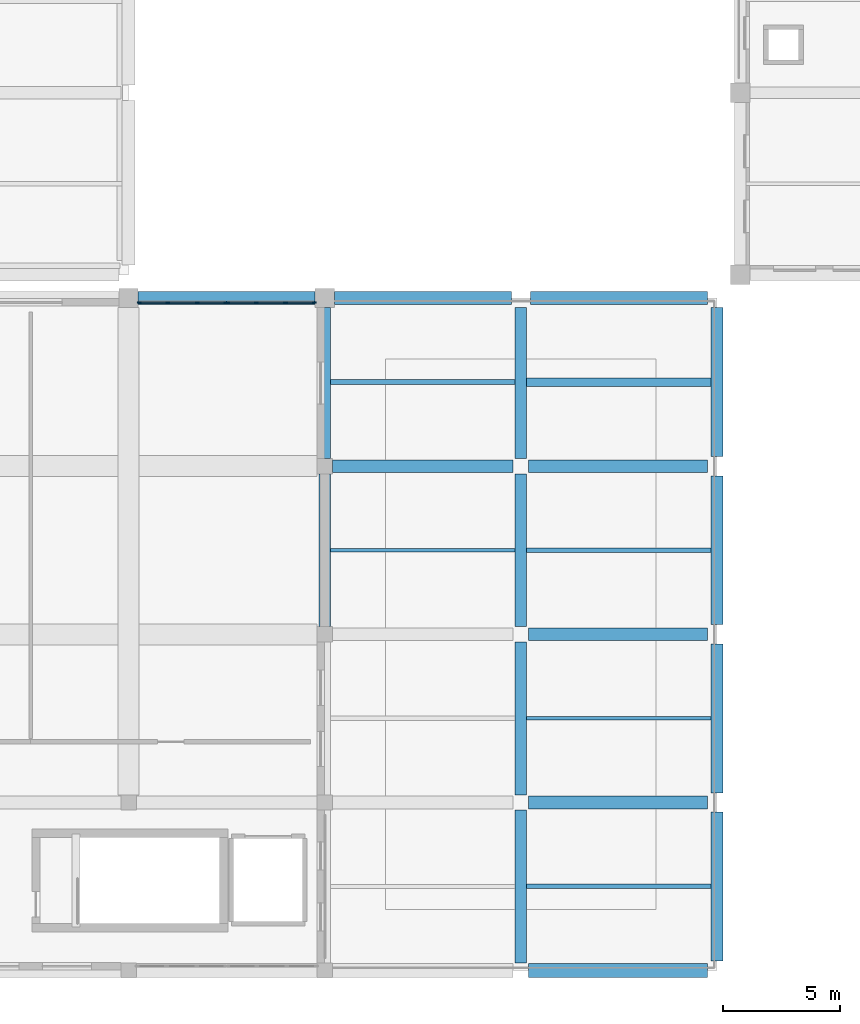
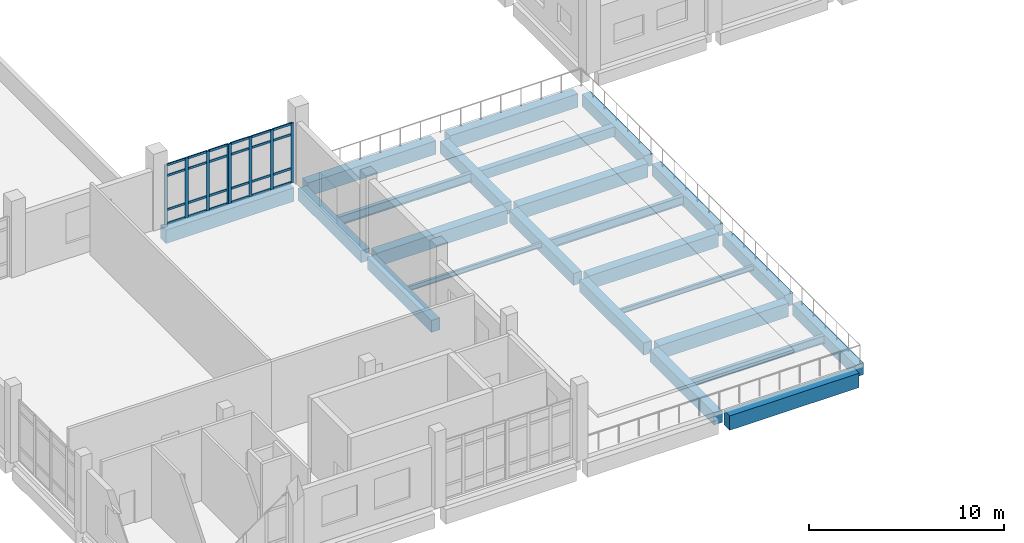
# One storey, part 5 of 73: 32 members, 24 beams, 2 elements without a shape of their own.
"""IFC4 building model written with IfcOpenShell, lengths in metres."""

from ifc_helpers import new_model, si_unit, direction, frame, origin, origin_2d, place, context, subcontext, project, spatial, rectangle, i_section, extrude, material, layer, layer_set, material_profile, profile_set, type_object, element, aggregate, save


model = new_model("IFC4")

# Units and contexts
model_context = context("Model", 3, precision=1e-05, world=origin(), true_north=direction((0.0, 1.0)))
body_context = subcontext(model_context, "Body", "Model", "MODEL_VIEW")
ifc_project = project(units=[si_unit("LENGTHUNIT", "METRE"), si_unit("AREAUNIT", "SQUARE_METRE"), si_unit("VOLUMEUNIT", "CUBIC_METRE"), si_unit("PLANEANGLEUNIT", "RADIAN"), si_unit("MASSUNIT", "GRAM", prefix="KILO")], contexts=[model_context])

# Site, building, storey
site_placement = place(None, origin())
site = spatial("IfcSite", under=ifc_project, at=site_placement, CompositionType="ELEMENT")
building_placement = place(site_placement, origin())
building = spatial("IfcBuilding", under=site, at=building_placement, Name="Kelarvand Opera House", CompositionType="ELEMENT")
storey_placement = place(building_placement, frame((0.0, 0.0, 10.199951171875)))
storey = spatial("IfcBuildingStorey", under=building, at=storey_placement, Name="L02", CompositionType="ELEMENT", Elevation=10.199951171875)

# Curtain wall, members
ifc_material_1 = material(Name="Thermally broken aluminium and low-E glazing", Category="aluminium")
ifc_layer = layer(ifc_material_1, 0.179931640625, Name="Thermally broken aluminium and low-E glazing", Category="aluminium")
ifc_layer_set = layer_set([ifc_layer], Name="Thermally broken aluminium and low-E glazing")
curtain_wall_type = type_object("IfcCurtainWallType", Name="Unitised Low-E Curtain Wall 3776x3730 Mod 1350 CWF-33", PredefinedType="USERDEFINED", material=ifc_layer_set)
curtain_wall_1_placement = place(storey_placement, origin())
curtain_wall_1 = element("IfcCurtainWall", 1, at=curtain_wall_1_placement, inside=storey, type_object=curtain_wall_type, Name="V4 L02 Curtain Wall CWF-33 (153)", ObjectType="UNITISED CURTAIN WALL", PredefinedType="USERDEFINED")
ifc_material_2 = material(Name="Thermally broken anodised aluminium", Category="aluminium")
ifc_material_profile_1 = material_profile(ifc_material_2, rectangle(XDim=0.06494140625, YDim=0.179931640625, at=origin_2d()), Name="ALU MULLION 65x180", Category="aluminium")
ifc_profile_set_1 = profile_set([ifc_material_profile_1], Name="Thermally broken anodised aluminium")
member_type_1 = type_object("IfcMemberType", Name="Curtain Wall Mullion 65x180 Aluminium", PredefinedType="MULLION", material=ifc_profile_set_1)
member_1_placement = place(storey_placement, frame((26.25244140625, 37.6201171875, 0.0), z_axis=(0.0, 0.0, 1.0), x_axis=(0.0, 1.0, 0.0)))
member_1 = element("IfcMember", 2, at=member_1_placement, type_object=member_type_1, Name="CWF-33 mullion 1", PredefinedType="MULLION", context=body_context, shape_type="SweptSolid", body=[
    extrude(rectangle(XDim=0.06494140625, YDim=0.179931640625, at=origin_2d()), origin(), (0.0, 0.0, 1.0), 3.72998046875),
])
member_2_placement = place(storey_placement, frame((27.478759765625, 37.6201171875, 0.0), z_axis=(0.0, 0.0, 1.0), x_axis=(0.0, 1.0, 0.0)))
member_2 = element("IfcMember", 3, at=member_2_placement, type_object=member_type_1, Name="CWF-33 mullion 2", PredefinedType="MULLION", context=body_context, shape_type="SweptSolid", body=[
    extrude(rectangle(XDim=0.06494140625, YDim=0.179931640625, at=origin_2d()), origin(), (0.0, 0.0, 1.0), 3.72998046875),
])
member_3_placement = place(storey_placement, frame((28.7373046875, 37.6201171875, 0.0), z_axis=(0.0, 0.0, 1.0), x_axis=(0.0, 1.0, 0.0)))
member_3 = element("IfcMember", 4, at=member_3_placement, type_object=member_type_1, Name="CWF-33 mullion 3", PredefinedType="MULLION", context=body_context, shape_type="SweptSolid", body=[
    extrude(rectangle(XDim=0.06494140625, YDim=0.179931640625, at=origin_2d()), origin(), (0.0, 0.0, 1.0), 3.72998046875),
])
member_4_placement = place(storey_placement, frame((29.96337890625, 37.6201171875, 0.0), z_axis=(0.0, 0.0, 1.0), x_axis=(0.0, 1.0, 0.0)))
member_4 = element("IfcMember", 5, at=member_4_placement, type_object=member_type_1, Name="CWF-33 mullion 4", PredefinedType="MULLION", context=body_context, shape_type="SweptSolid", body=[
    extrude(rectangle(XDim=0.06494140625, YDim=0.179931640625, at=origin_2d()), origin(), (0.0, 0.0, 1.0), 3.72998046875),
])

curtain_wall_2_placement = place(storey_placement, origin())
curtain_wall_2 = element("IfcCurtainWall", 6, at=curtain_wall_2_placement, inside=storey, type_object=curtain_wall_type, Name="V4 L02 Curtain Wall CWF-33 (154)", ObjectType="UNITISED CURTAIN WALL", PredefinedType="USERDEFINED")
member_5_placement = place(storey_placement, frame((30.032470703125, 37.6201171875, 0.0), z_axis=(0.0, 0.0, 1.0), x_axis=(0.0, 1.0, 0.0)))
member_5 = element("IfcMember", 7, at=member_5_placement, type_object=member_type_1, Name="CWF-33 mullion 1", PredefinedType="MULLION", context=body_context, shape_type="SweptSolid", body=[
    extrude(rectangle(XDim=0.06494140625, YDim=0.179931640625, at=origin_2d()), origin(), (0.0, 0.0, 1.0), 3.72998046875),
])
member_6_placement = place(storey_placement, frame((31.260009765625, 37.6201171875, 0.0), z_axis=(0.0, 0.0, 1.0), x_axis=(0.0, 1.0, 0.0)))
member_6 = element("IfcMember", 8, at=member_6_placement, type_object=member_type_1, Name="CWF-33 mullion 2", PredefinedType="MULLION", context=body_context, shape_type="SweptSolid", body=[
    extrude(rectangle(XDim=0.06494140625, YDim=0.179931640625, at=origin_2d()), origin(), (0.0, 0.0, 1.0), 3.72998046875),
])
member_7_placement = place(storey_placement, frame((32.52001953125, 37.6201171875, 0.0), z_axis=(0.0, 0.0, 1.0), x_axis=(0.0, 1.0, 0.0)))
member_7 = element("IfcMember", 9, at=member_7_placement, type_object=member_type_1, Name="CWF-33 mullion 3", PredefinedType="MULLION", context=body_context, shape_type="SweptSolid", body=[
    extrude(rectangle(XDim=0.06494140625, YDim=0.179931640625, at=origin_2d()), origin(), (0.0, 0.0, 1.0), 3.72998046875),
])
member_8_placement = place(storey_placement, frame((33.74755859375, 37.6201171875, 0.0), z_axis=(0.0, 0.0, 1.0), x_axis=(0.0, 1.0, 0.0)))
member_8 = element("IfcMember", 10, at=member_8_placement, type_object=member_type_1, Name="CWF-33 mullion 4", PredefinedType="MULLION", context=body_context, shape_type="SweptSolid", body=[
    extrude(rectangle(XDim=0.06494140625, YDim=0.179931640625, at=origin_2d()), origin(), (0.0, 0.0, 1.0), 3.72998046875),
])

# Member
ifc_material_profile_2 = material_profile(ifc_material_2, rectangle(XDim=0.06494140625, YDim=0.139892578125, at=origin_2d()), Name="ALU TRANSOM 65x140", Category="aluminium")
ifc_profile_set_2 = profile_set([ifc_material_profile_2], Name="Thermally broken anodised aluminium")
member_type_2 = type_object("IfcMemberType", Name="Curtain Wall Transom 65x140 Aluminium", PredefinedType="USERDEFINED", material=ifc_profile_set_2)
member_9_placement = place(storey_placement, frame((26.284912109375, 37.6201171875, 0.032470703125), z_axis=(1.0, 0.0, 0.0), x_axis=(0.0, 1.0, 0.0)))
member_9 = element("IfcMember", 11, at=member_9_placement, type_object=member_type_2, Name="CWF-33 transom 1.1", ObjectType="TRANSOM", PredefinedType="USERDEFINED", context=body_context, shape_type="SweptSolid", body=[
    extrude(rectangle(XDim=0.06494140625, YDim=0.139892578125, at=origin_2d()), origin(), (0.0, 0.0, 1.0), 1.1611328125),
])

member_10_placement = place(storey_placement, frame((26.284912109375, 37.6201171875, 0.900146484375), z_axis=(1.0, 0.0, 0.0), x_axis=(0.0, 1.0, 0.0)))
member_10 = element("IfcMember", 12, at=member_10_placement, type_object=member_type_2, Name="CWF-33 transom 1.2", ObjectType="TRANSOM", PredefinedType="USERDEFINED", context=body_context, shape_type="SweptSolid", body=[
    extrude(rectangle(XDim=0.06494140625, YDim=0.139892578125, at=origin_2d()), origin(), (0.0, 0.0, 1.0), 1.1611328125),
])

member_11_placement = place(storey_placement, frame((26.284912109375, 37.6201171875, 3.030029296875), z_axis=(1.0, 0.0, 0.0), x_axis=(0.0, 1.0, 0.0)))
member_11 = element("IfcMember", 13, at=member_11_placement, type_object=member_type_2, Name="CWF-33 transom 1.3", ObjectType="TRANSOM", PredefinedType="USERDEFINED", context=body_context, shape_type="SweptSolid", body=[
    extrude(rectangle(XDim=0.06494140625, YDim=0.139892578125, at=origin_2d()), origin(), (0.0, 0.0, 1.0), 1.1611328125),
])

member_12_placement = place(storey_placement, frame((26.284912109375, 37.6201171875, 3.697509765625), z_axis=(1.0, 0.0, 0.0), x_axis=(0.0, 1.0, 0.0)))
member_12 = element("IfcMember", 14, at=member_12_placement, type_object=member_type_2, Name="CWF-33 transom 1.4", ObjectType="TRANSOM", PredefinedType="USERDEFINED", context=body_context, shape_type="SweptSolid", body=[
    extrude(rectangle(XDim=0.06494140625, YDim=0.139892578125, at=origin_2d()), origin(), (0.0, 0.0, 1.0), 1.1611328125),
])

member_13_placement = place(storey_placement, frame((27.51123046875, 37.6201171875, 0.032470703125), z_axis=(1.0, 0.0, 0.0), x_axis=(0.0, 1.0, 0.0)))
member_13 = element("IfcMember", 15, at=member_13_placement, type_object=member_type_2, Name="CWF-33 transom 2.1", ObjectType="TRANSOM", PredefinedType="USERDEFINED", context=body_context, shape_type="SweptSolid", body=[
    extrude(rectangle(XDim=0.06494140625, YDim=0.139892578125, at=origin_2d()), origin(), (0.0, 0.0, 1.0), 1.193603515625),
])

member_14_placement = place(storey_placement, frame((27.51123046875, 37.6201171875, 0.900146484375), z_axis=(1.0, 0.0, 0.0), x_axis=(0.0, 1.0, 0.0)))
member_14 = element("IfcMember", 16, at=member_14_placement, type_object=member_type_2, Name="CWF-33 transom 2.2", ObjectType="TRANSOM", PredefinedType="USERDEFINED", context=body_context, shape_type="SweptSolid", body=[
    extrude(rectangle(XDim=0.06494140625, YDim=0.139892578125, at=origin_2d()), origin(), (0.0, 0.0, 1.0), 1.193603515625),
])

member_15_placement = place(storey_placement, frame((27.51123046875, 37.6201171875, 3.030029296875), z_axis=(1.0, 0.0, 0.0), x_axis=(0.0, 1.0, 0.0)))
member_15 = element("IfcMember", 17, at=member_15_placement, type_object=member_type_2, Name="CWF-33 transom 2.3", ObjectType="TRANSOM", PredefinedType="USERDEFINED", context=body_context, shape_type="SweptSolid", body=[
    extrude(rectangle(XDim=0.06494140625, YDim=0.139892578125, at=origin_2d()), origin(), (0.0, 0.0, 1.0), 1.193603515625),
])

member_16_placement = place(storey_placement, frame((27.51123046875, 37.6201171875, 3.697509765625), z_axis=(1.0, 0.0, 0.0), x_axis=(0.0, 1.0, 0.0)))
member_16 = element("IfcMember", 18, at=member_16_placement, type_object=member_type_2, Name="CWF-33 transom 2.4", ObjectType="TRANSOM", PredefinedType="USERDEFINED", context=body_context, shape_type="SweptSolid", body=[
    extrude(rectangle(XDim=0.06494140625, YDim=0.139892578125, at=origin_2d()), origin(), (0.0, 0.0, 1.0), 1.193603515625),
])

member_17_placement = place(storey_placement, frame((28.769775390625, 37.6201171875, 0.032470703125), z_axis=(1.0, 0.0, 0.0), x_axis=(0.0, 1.0, 0.0)))
member_17 = element("IfcMember", 19, at=member_17_placement, type_object=member_type_2, Name="CWF-33 transom 3.1", ObjectType="TRANSOM", PredefinedType="USERDEFINED", context=body_context, shape_type="SweptSolid", body=[
    extrude(rectangle(XDim=0.06494140625, YDim=0.139892578125, at=origin_2d()), origin(), (0.0, 0.0, 1.0), 1.1611328125),
])

member_18_placement = place(storey_placement, frame((28.769775390625, 37.6201171875, 0.900146484375), z_axis=(1.0, 0.0, 0.0), x_axis=(0.0, 1.0, 0.0)))
member_18 = element("IfcMember", 20, at=member_18_placement, type_object=member_type_2, Name="CWF-33 transom 3.2", ObjectType="TRANSOM", PredefinedType="USERDEFINED", context=body_context, shape_type="SweptSolid", body=[
    extrude(rectangle(XDim=0.06494140625, YDim=0.139892578125, at=origin_2d()), origin(), (0.0, 0.0, 1.0), 1.1611328125),
])

member_19_placement = place(storey_placement, frame((28.769775390625, 37.6201171875, 3.030029296875), z_axis=(1.0, 0.0, 0.0), x_axis=(0.0, 1.0, 0.0)))
member_19 = element("IfcMember", 21, at=member_19_placement, type_object=member_type_2, Name="CWF-33 transom 3.3", ObjectType="TRANSOM", PredefinedType="USERDEFINED", context=body_context, shape_type="SweptSolid", body=[
    extrude(rectangle(XDim=0.06494140625, YDim=0.139892578125, at=origin_2d()), origin(), (0.0, 0.0, 1.0), 1.1611328125),
])

member_20_placement = place(storey_placement, frame((28.769775390625, 37.6201171875, 3.697509765625), z_axis=(1.0, 0.0, 0.0), x_axis=(0.0, 1.0, 0.0)))
member_20 = element("IfcMember", 22, at=member_20_placement, type_object=member_type_2, Name="CWF-33 transom 3.4", ObjectType="TRANSOM", PredefinedType="USERDEFINED", context=body_context, shape_type="SweptSolid", body=[
    extrude(rectangle(XDim=0.06494140625, YDim=0.139892578125, at=origin_2d()), origin(), (0.0, 0.0, 1.0), 1.1611328125),
])

aggregate(curtain_wall_1, [member_1, member_2, member_3, member_4, member_9, member_10, member_11, member_12, member_13, member_14, member_15, member_16, member_17, member_18, member_19, member_20])

member_21_placement = place(storey_placement, frame((30.06494140625, 37.6201171875, 0.032470703125), z_axis=(1.0, 0.0, 0.0), x_axis=(0.0, 1.0, 0.0)))
member_21 = element("IfcMember", 23, at=member_21_placement, type_object=member_type_2, Name="CWF-33 transom 1.1", ObjectType="TRANSOM", PredefinedType="USERDEFINED", context=body_context, shape_type="SweptSolid", body=[
    extrude(rectangle(XDim=0.06494140625, YDim=0.139892578125, at=origin_2d()), origin(), (0.0, 0.0, 1.0), 1.16259765625),
])

member_22_placement = place(storey_placement, frame((30.06494140625, 37.6201171875, 0.900146484375), z_axis=(1.0, 0.0, 0.0), x_axis=(0.0, 1.0, 0.0)))
member_22 = element("IfcMember", 24, at=member_22_placement, type_object=member_type_2, Name="CWF-33 transom 1.2", ObjectType="TRANSOM", PredefinedType="USERDEFINED", context=body_context, shape_type="SweptSolid", body=[
    extrude(rectangle(XDim=0.06494140625, YDim=0.139892578125, at=origin_2d()), origin(), (0.0, 0.0, 1.0), 1.16259765625),
])

member_23_placement = place(storey_placement, frame((30.06494140625, 37.6201171875, 3.030029296875), z_axis=(1.0, 0.0, 0.0), x_axis=(0.0, 1.0, 0.0)))
member_23 = element("IfcMember", 25, at=member_23_placement, type_object=member_type_2, Name="CWF-33 transom 1.3", ObjectType="TRANSOM", PredefinedType="USERDEFINED", context=body_context, shape_type="SweptSolid", body=[
    extrude(rectangle(XDim=0.06494140625, YDim=0.139892578125, at=origin_2d()), origin(), (0.0, 0.0, 1.0), 1.16259765625),
])

member_24_placement = place(storey_placement, frame((30.06494140625, 37.6201171875, 3.697509765625), z_axis=(1.0, 0.0, 0.0), x_axis=(0.0, 1.0, 0.0)))
member_24 = element("IfcMember", 26, at=member_24_placement, type_object=member_type_2, Name="CWF-33 transom 1.4", ObjectType="TRANSOM", PredefinedType="USERDEFINED", context=body_context, shape_type="SweptSolid", body=[
    extrude(rectangle(XDim=0.06494140625, YDim=0.139892578125, at=origin_2d()), origin(), (0.0, 0.0, 1.0), 1.16259765625),
])

member_25_placement = place(storey_placement, frame((31.29248046875, 37.6201171875, 0.032470703125), z_axis=(1.0, 0.0, 0.0), x_axis=(0.0, 1.0, 0.0)))
member_25 = element("IfcMember", 27, at=member_25_placement, type_object=member_type_2, Name="CWF-33 transom 2.1", ObjectType="TRANSOM", PredefinedType="USERDEFINED", context=body_context, shape_type="SweptSolid", body=[
    extrude(rectangle(XDim=0.06494140625, YDim=0.139892578125, at=origin_2d()), origin(), (0.0, 0.0, 1.0), 1.195068359375),
])

member_26_placement = place(storey_placement, frame((31.29248046875, 37.6201171875, 0.900146484375), z_axis=(1.0, 0.0, 0.0), x_axis=(0.0, 1.0, 0.0)))
member_26 = element("IfcMember", 28, at=member_26_placement, type_object=member_type_2, Name="CWF-33 transom 2.2", ObjectType="TRANSOM", PredefinedType="USERDEFINED", context=body_context, shape_type="SweptSolid", body=[
    extrude(rectangle(XDim=0.06494140625, YDim=0.139892578125, at=origin_2d()), origin(), (0.0, 0.0, 1.0), 1.195068359375),
])

member_27_placement = place(storey_placement, frame((31.29248046875, 37.6201171875, 3.030029296875), z_axis=(1.0, 0.0, 0.0), x_axis=(0.0, 1.0, 0.0)))
member_27 = element("IfcMember", 29, at=member_27_placement, type_object=member_type_2, Name="CWF-33 transom 2.3", ObjectType="TRANSOM", PredefinedType="USERDEFINED", context=body_context, shape_type="SweptSolid", body=[
    extrude(rectangle(XDim=0.06494140625, YDim=0.139892578125, at=origin_2d()), origin(), (0.0, 0.0, 1.0), 1.195068359375),
])

member_28_placement = place(storey_placement, frame((31.29248046875, 37.6201171875, 3.697509765625), z_axis=(1.0, 0.0, 0.0), x_axis=(0.0, 1.0, 0.0)))
member_28 = element("IfcMember", 30, at=member_28_placement, type_object=member_type_2, Name="CWF-33 transom 2.4", ObjectType="TRANSOM", PredefinedType="USERDEFINED", context=body_context, shape_type="SweptSolid", body=[
    extrude(rectangle(XDim=0.06494140625, YDim=0.139892578125, at=origin_2d()), origin(), (0.0, 0.0, 1.0), 1.195068359375),
])

member_29_placement = place(storey_placement, frame((32.552490234375, 37.6201171875, 0.032470703125), z_axis=(1.0, 0.0, 0.0), x_axis=(0.0, 1.0, 0.0)))
member_29 = element("IfcMember", 31, at=member_29_placement, type_object=member_type_2, Name="CWF-33 transom 3.1", ObjectType="TRANSOM", PredefinedType="USERDEFINED", context=body_context, shape_type="SweptSolid", body=[
    extrude(rectangle(XDim=0.06494140625, YDim=0.139892578125, at=origin_2d()), origin(), (0.0, 0.0, 1.0), 1.16259765625),
])

member_30_placement = place(storey_placement, frame((32.552490234375, 37.6201171875, 0.900146484375), z_axis=(1.0, 0.0, 0.0), x_axis=(0.0, 1.0, 0.0)))
member_30 = element("IfcMember", 32, at=member_30_placement, type_object=member_type_2, Name="CWF-33 transom 3.2", ObjectType="TRANSOM", PredefinedType="USERDEFINED", context=body_context, shape_type="SweptSolid", body=[
    extrude(rectangle(XDim=0.06494140625, YDim=0.139892578125, at=origin_2d()), origin(), (0.0, 0.0, 1.0), 1.16259765625),
])

member_31_placement = place(storey_placement, frame((32.552490234375, 37.6201171875, 3.030029296875), z_axis=(1.0, 0.0, 0.0), x_axis=(0.0, 1.0, 0.0)))
member_31 = element("IfcMember", 33, at=member_31_placement, type_object=member_type_2, Name="CWF-33 transom 3.3", ObjectType="TRANSOM", PredefinedType="USERDEFINED", context=body_context, shape_type="SweptSolid", body=[
    extrude(rectangle(XDim=0.06494140625, YDim=0.139892578125, at=origin_2d()), origin(), (0.0, 0.0, 1.0), 1.16259765625),
])

member_32_placement = place(storey_placement, frame((32.552490234375, 37.6201171875, 3.697509765625), z_axis=(1.0, 0.0, 0.0), x_axis=(0.0, 1.0, 0.0)))
member_32 = element("IfcMember", 34, at=member_32_placement, type_object=member_type_2, Name="CWF-33 transom 3.4", ObjectType="TRANSOM", PredefinedType="USERDEFINED", context=body_context, shape_type="SweptSolid", body=[
    extrude(rectangle(XDim=0.06494140625, YDim=0.139892578125, at=origin_2d()), origin(), (0.0, 0.0, 1.0), 1.16259765625),
])

aggregate(curtain_wall_2, [member_5, member_6, member_7, member_8, member_21, member_22, member_23, member_24, member_25, member_26, member_27, member_28, member_29, member_30, member_31, member_32])

# Beams
ifc_material_3 = material(Name="Concrete C35/45", Category="concrete")
ifc_material_profile_3 = material_profile(ifc_material_3, rectangle(XDim=0.35009765625, YDim=0.60009765625, at=origin_2d()), Name="RC 350x600", Category="concrete")
ifc_profile_set_3 = profile_set([ifc_material_profile_3], Name="Concrete C35/45")
beam_type_1 = type_object("IfcBeamType", Name="Structural Beam RC 350x600 BM-RC350x600", PredefinedType="BEAM", material=ifc_profile_set_3)
beam_1_placement = place(storey_placement, frame((42.85009765625, 34.199951171875, -0.599853515625), z_axis=(1.0, 0.0, 0.0), x_axis=(0.0, 1.0, 0.0)))
element("IfcBeam", 35, at=beam_1_placement, inside=storey, type_object=beam_type_1, Name="V4 L02 Beam BM-RC350x600", PredefinedType="BEAM", context=body_context, shape_type="SweptSolid", body=[
    extrude(rectangle(XDim=0.35009765625, YDim=0.60009765625, at=origin_2d()), origin(), (0.0, 0.0, 1.0), 7.89990234375),
])
ifc_material_4 = material(Name="Concrete C40/50", Category="concrete")
ifc_material_profile_4 = material_profile(ifc_material_4, rectangle(XDim=0.5, YDim=0.75, at=origin_2d()), Name="RC 500x750", Category="concrete")
ifc_profile_set_4 = profile_set([ifc_material_profile_4], Name="Concrete C40/50")
beam_type_2 = type_object("IfcBeamType", Name="Structural Beam RC 500x750 BM-RC500x750", PredefinedType="BEAM", material=ifc_profile_set_4)
beam_2_placement = place(storey_placement, frame((34.199951171875, 23.72509765625, -0.675048828125), z_axis=(0.0, 1.0, 0.0), x_axis=(-1.0, 0.0, 0.0)))
element("IfcBeam", 36, at=beam_2_placement, inside=storey, type_object=beam_type_2, Name="V4 L02 Beam BM-RC500x750", PredefinedType="BEAM", context=body_context, shape_type="SweptSolid", body=[
    extrude(rectangle(XDim=0.5, YDim=0.75, at=origin_2d()), origin(), (0.0, 0.0, 1.0), 6.5498046875),
])
beam_3_placement = place(storey_placement, frame((34.199951171875, 30.925048828125, -0.675048828125), z_axis=(0.0, 1.0, 0.0), x_axis=(-1.0, 0.0, 0.0)))
element("IfcBeam", 37, at=beam_3_placement, inside=storey, type_object=beam_type_2, Name="V4 L02 Beam BM-RC500x750", PredefinedType="BEAM", context=body_context, shape_type="SweptSolid", body=[
    extrude(rectangle(XDim=0.5, YDim=0.75, at=origin_2d()), origin(), (0.0, 0.0, 1.0), 6.46484375),
])
for number, where, z_axis, x_axis, name in (
    (38, (42.60009765625, 9.324951171875, -0.675048828125), (0.0, 1.0, 0.0), (-1.0, 0.0, 0.0), "V4 L02 Beam BM-RC500x750"),
    (39, (42.60009765625, 16.52490234375, -0.675048828125), (0.0, 1.0, 0.0), (-1.0, 0.0, 0.0), "V4 L02 Beam BM-RC500x750"),
):
    element("IfcBeam", number, at=place(storey_placement, frame(where, z_axis=z_axis, x_axis=x_axis)), inside=storey, type_object=beam_type_2, Name=name, PredefinedType="BEAM", context=body_context, shape_type="SweptSolid", body=[
        extrude(rectangle(XDim=0.5, YDim=0.75, at=origin_2d()), origin(), (0.0, 0.0, 1.0), 6.550048828125),
    ])
beam_4_placement = place(storey_placement, frame((42.60009765625, 23.72509765625, -0.675048828125), z_axis=(0.0, 1.0, 0.0), x_axis=(-1.0, 0.0, 0.0)))
element("IfcBeam", 40, at=beam_4_placement, inside=storey, type_object=beam_type_2, Name="V4 L02 Beam BM-RC500x750", PredefinedType="BEAM", context=body_context, shape_type="SweptSolid", body=[
    extrude(rectangle(XDim=0.5, YDim=0.75, at=origin_2d()), origin(), (0.0, 0.0, 1.0), 6.5498046875),
])
beam_5_placement = place(storey_placement, frame((42.60009765625, 30.925048828125, -0.675048828125), z_axis=(0.0, 1.0, 0.0), x_axis=(-1.0, 0.0, 0.0)))
element("IfcBeam", 41, at=beam_5_placement, inside=storey, type_object=beam_type_2, Name="V4 L02 Beam BM-RC500x750", PredefinedType="BEAM", context=body_context, shape_type="SweptSolid", body=[
    extrude(rectangle(XDim=0.5, YDim=0.75, at=origin_2d()), origin(), (0.0, 0.0, 1.0), 6.46484375),
])
ifc_material_profile_5 = material_profile(ifc_material_4, rectangle(XDim=0.550048828125, YDim=0.85009765625, at=origin_2d()), Name="RC 550x850", Category="concrete")
ifc_profile_set_5 = profile_set([ifc_material_profile_5], Name="Concrete C40/50")
beam_type_3 = type_object("IfcBeamType", Name="Structural Beam RC 550x850 BM-RC550x850", PredefinedType="BEAM", material=ifc_profile_set_5)
for number, where, z_axis, x_axis, name in (
    (42, (42.925048828125, 16.199951171875, -0.724853515625), (1.0, 0.0, 0.0), (0.0, 1.0, 0.0), "V4 L02 Beam BM-RC550x850"),
    (43, (42.925048828125, 23.39990234375, -0.724853515625), (1.0, 0.0, 0.0), (0.0, 1.0, 0.0), "V4 L02 Beam BM-RC550x850"),
):
    element("IfcBeam", number, at=place(storey_placement, frame(where, z_axis=z_axis, x_axis=x_axis)), inside=storey, type_object=beam_type_3, Name=name, PredefinedType="BEAM", context=body_context, shape_type="SweptSolid", body=[
        extrude(rectangle(XDim=0.550048828125, YDim=0.85009765625, at=origin_2d()), origin(), (0.0, 0.0, 1.0), 7.6650390625),
    ])
beam_6_placement = place(storey_placement, frame((34.52490234375, 30.60009765625, -0.724853515625), z_axis=(1.0, 0.0, 0.0), x_axis=(0.0, 1.0, 0.0)))
element("IfcBeam", 44, at=beam_6_placement, inside=storey, type_object=beam_type_3, Name="V4 L02 Beam BM-RC550x850", PredefinedType="BEAM", context=body_context, shape_type="SweptSolid", body=[
    extrude(rectangle(XDim=0.550048828125, YDim=0.85009765625, at=origin_2d()), origin(), (0.0, 0.0, 1.0), 7.75),
])
beam_7_placement = place(storey_placement, frame((42.925048828125, 30.60009765625, -0.724853515625), z_axis=(1.0, 0.0, 0.0), x_axis=(0.0, 1.0, 0.0)))
element("IfcBeam", 45, at=beam_7_placement, inside=storey, type_object=beam_type_3, Name="V4 L02 Beam BM-RC550x850", PredefinedType="BEAM", context=body_context, shape_type="SweptSolid", body=[
    extrude(rectangle(XDim=0.550048828125, YDim=0.85009765625, at=origin_2d()), origin(), (0.0, 0.0, 1.0), 7.6650390625),
])
beam_8_placement = place(storey_placement, frame((26.2099609375, 37.800048828125, -0.724853515625), z_axis=(1.0, 0.0, 0.0), x_axis=(0.0, 1.0, 0.0)))
element("IfcBeam", 46, at=beam_8_placement, inside=storey, type_object=beam_type_3, Name="V4 L02 Beam BM-RC550x850", PredefinedType="BEAM", context=body_context, shape_type="SweptSolid", body=[
    extrude(rectangle(XDim=0.550048828125, YDim=0.85009765625, at=origin_2d()), origin(), (0.0, 0.0, 1.0), 7.580078125),
])
beam_9_placement = place(storey_placement, frame((34.610107421875, 37.800048828125, -0.724853515625), z_axis=(1.0, 0.0, 0.0), x_axis=(0.0, 1.0, 0.0)))
element("IfcBeam", 47, at=beam_9_placement, inside=storey, type_object=beam_type_3, Name="V4 L02 Beam BM-RC550x850", PredefinedType="BEAM", context=body_context, shape_type="SweptSolid", body=[
    extrude(rectangle(XDim=0.550048828125, YDim=0.85009765625, at=origin_2d()), origin(), (0.0, 0.0, 1.0), 7.579833984375),
])
beam_10_placement = place(storey_placement, frame((43.010009765625, 37.800048828125, -0.724853515625), z_axis=(1.0, 0.0, 0.0), x_axis=(0.0, 1.0, 0.0)))
element("IfcBeam", 48, at=beam_10_placement, inside=storey, type_object=beam_type_3, Name="V4 L02 Beam BM-RC550x850", PredefinedType="BEAM", context=body_context, shape_type="SweptSolid", body=[
    extrude(rectangle(XDim=0.550048828125, YDim=0.85009765625, at=origin_2d()), origin(), (0.0, 0.0, 1.0), 7.580078125),
])
ifc_material_5 = material(Name="Steel S355", Category="steel")
ifc_material_profile_6 = material_profile(ifc_material_5, i_section(OverallWidth=0.14990234375, OverallDepth=0.300048828125, WebThickness=0.007080078125, FlangeThickness=0.0107421875, at=origin_2d()), Name="IPE 300", Category="steel")
ifc_profile_set_6 = profile_set([ifc_material_profile_6], Name="Steel S355")
beam_type_4 = type_object("IfcBeamType", Name="Structural Joist IPE 300 JS-IPE300", PredefinedType="JOIST", material=ifc_profile_set_6)
beam_11_placement = place(storey_placement, frame((34.449951171875, 27.0, -0.449951171875), z_axis=(1.0, 0.0, 0.0), x_axis=(0.0, 1.0, 0.0)))
element("IfcBeam", 49, at=beam_11_placement, inside=storey, type_object=beam_type_4, Name="V4 L02 Beam JS-IPE300", PredefinedType="JOIST", context=body_context, shape_type="SweptSolid", body=[
    extrude(i_section(OverallWidth=0.14990234375, OverallDepth=0.300048828125, WebThickness=0.007080078125, FlangeThickness=0.0107421875, at=origin_2d()), origin(), (0.0, 0.0, 1.0), 7.900146484375),
])
beam_12_placement = place(storey_placement, frame((42.85009765625, 19.800048828125, -0.449951171875), z_axis=(1.0, 0.0, 0.0), x_axis=(0.0, 1.0, 0.0)))
element("IfcBeam", 50, at=beam_12_placement, inside=storey, type_object=beam_type_4, Name="V4 L02 Beam JS-IPE300", PredefinedType="JOIST", context=body_context, shape_type="SweptSolid", body=[
    extrude(i_section(OverallWidth=0.14990234375, OverallDepth=0.300048828125, WebThickness=0.007080078125, FlangeThickness=0.0107421875, at=origin_2d()), origin(), (0.0, 0.0, 1.0), 7.89990234375),
])
ifc_material_profile_7 = material_profile(ifc_material_5, i_section(OverallWidth=0.199951171875, OverallDepth=0.5, WebThickness=0.01025390625, FlangeThickness=0.01611328125, at=origin_2d()), Name="IPE 500", Category="steel")
ifc_profile_set_7 = profile_set([ifc_material_profile_7], Name="Steel S355")
beam_type_5 = type_object("IfcBeamType", Name="Structural Joist IPE 500 JS-IPE500", PredefinedType="JOIST", material=ifc_profile_set_7)
beam_13_placement = place(storey_placement, frame((42.85009765625, 12.60009765625, -0.550048828125), z_axis=(1.0, 0.0, 0.0), x_axis=(0.0, 1.0, 0.0)))
element("IfcBeam", 51, at=beam_13_placement, inside=storey, type_object=beam_type_5, Name="V4 L02 Beam JS-IPE500", PredefinedType="JOIST", context=body_context, shape_type="SweptSolid", body=[
    extrude(i_section(OverallWidth=0.199951171875, OverallDepth=0.5, WebThickness=0.01025390625, FlangeThickness=0.01611328125, at=origin_2d()), origin(), (0.0, 0.0, 1.0), 7.89990234375),
])
ifc_material_profile_8 = material_profile(ifc_material_5, i_section(OverallWidth=0.2099609375, OverallDepth=0.550048828125, WebThickness=0.010986328125, FlangeThickness=0.01708984375, at=origin_2d()), Name="IPE 550", Category="steel")
ifc_profile_set_8 = profile_set([ifc_material_profile_8], Name="Steel S355")
beam_type_6 = type_object("IfcBeamType", Name="Structural Joist IPE 550 JS-IPE550", PredefinedType="JOIST", material=ifc_profile_set_8)
beam_14_placement = place(storey_placement, frame((34.449951171875, 34.199951171875, -0.574951171875), z_axis=(1.0, 0.0, 0.0), x_axis=(0.0, 1.0, 0.0)))
element("IfcBeam", 52, at=beam_14_placement, inside=storey, type_object=beam_type_6, Name="V4 L02 Beam JS-IPE550", PredefinedType="JOIST", context=body_context, shape_type="SweptSolid", body=[
    extrude(i_section(OverallWidth=0.2099609375, OverallDepth=0.550048828125, WebThickness=0.010986328125, FlangeThickness=0.01708984375, at=origin_2d()), origin(), (0.0, 0.0, 1.0), 7.900146484375),
])
beam_15_placement = place(storey_placement, frame((42.85009765625, 27.0, -0.574951171875), z_axis=(1.0, 0.0, 0.0), x_axis=(0.0, 1.0, 0.0)))
element("IfcBeam", 53, at=beam_15_placement, inside=storey, type_object=beam_type_6, Name="V4 L02 Beam JS-IPE550", PredefinedType="JOIST", context=body_context, shape_type="SweptSolid", body=[
    extrude(i_section(OverallWidth=0.2099609375, OverallDepth=0.550048828125, WebThickness=0.010986328125, FlangeThickness=0.01708984375, at=origin_2d()), origin(), (0.0, 0.0, 1.0), 7.89990234375),
])
ifc_material_profile_9 = material_profile(ifc_material_4, rectangle(XDim=0.5, YDim=0.75, at=origin_2d()), Name="RC 500x750", Category="concrete")
ifc_profile_set_9 = profile_set([ifc_material_profile_9], Name="Concrete C40/50")
beam_type_7 = type_object("IfcBeamType", Name="Structural Spandrel RC 500x750 SP-RC500x750E", PredefinedType="SPANDREL", material=ifc_profile_set_9)
beam_16_placement = place(storey_placement, frame((51.0, 9.409912109375, -0.675048828125), z_axis=(0.0, 1.0, 0.0), x_axis=(-1.0, 0.0, 0.0)))
element("IfcBeam", 54, at=beam_16_placement, inside=storey, type_object=beam_type_7, Name="V4 L02 Beam SP-RC500x750E", PredefinedType="SPANDREL", context=body_context, shape_type="SweptSolid", body=[
    extrude(rectangle(XDim=0.5, YDim=0.75, at=origin_2d()), origin(), (0.0, 0.0, 1.0), 6.380126953125),
])
for number, where, z_axis, x_axis, name in (
    (55, (51.0, 16.610107421875, -0.675048828125), (0.0, 1.0, 0.0), (-1.0, 0.0, 0.0), "V4 L02 Beam SP-RC500x750E"),
    (56, (51.0, 23.81005859375, -0.675048828125), (0.0, 1.0, 0.0), (-1.0, 0.0, 0.0), "V4 L02 Beam SP-RC500x750E"),
    (57, (51.0, 31.010009765625, -0.675048828125), (0.0, 1.0, 0.0), (-1.0, 0.0, 0.0), "V4 L02 Beam SP-RC500x750E"),
):
    element("IfcBeam", number, at=place(storey_placement, frame(where, z_axis=z_axis, x_axis=x_axis)), inside=storey, type_object=beam_type_7, Name=name, PredefinedType="SPANDREL", context=body_context, shape_type="SweptSolid", body=[
        extrude(rectangle(XDim=0.5, YDim=0.75, at=origin_2d()), origin(), (0.0, 0.0, 1.0), 6.3798828125),
    ])
ifc_material_profile_10 = material_profile(ifc_material_4, rectangle(XDim=0.60009765625, YDim=0.89990234375, at=origin_2d()), Name="RC 600x900", Category="concrete")
ifc_profile_set_10 = profile_set([ifc_material_profile_10], Name="Concrete C40/50")
beam_type_8 = type_object("IfcBeamType", Name="Structural Spandrel RC 600x900 SP-RC600x900E", PredefinedType="SPANDREL", material=ifc_profile_set_10)
beam_17_placement = place(storey_placement, frame((42.925048828125, 9.0, -0.75), z_axis=(1.0, 0.0, 0.0), x_axis=(0.0, 1.0, 0.0)))
element("IfcBeam", 58, at=beam_17_placement, inside=storey, type_object=beam_type_8, Name="V4 L02 Beam SP-RC600x900E", PredefinedType="SPANDREL", context=body_context, shape_type="SweptSolid", body=[
    extrude(rectangle(XDim=0.60009765625, YDim=0.89990234375, at=origin_2d()), origin(), (0.0, 0.0, 1.0), 7.6650390625),
])

save(model, "model.ifc")
